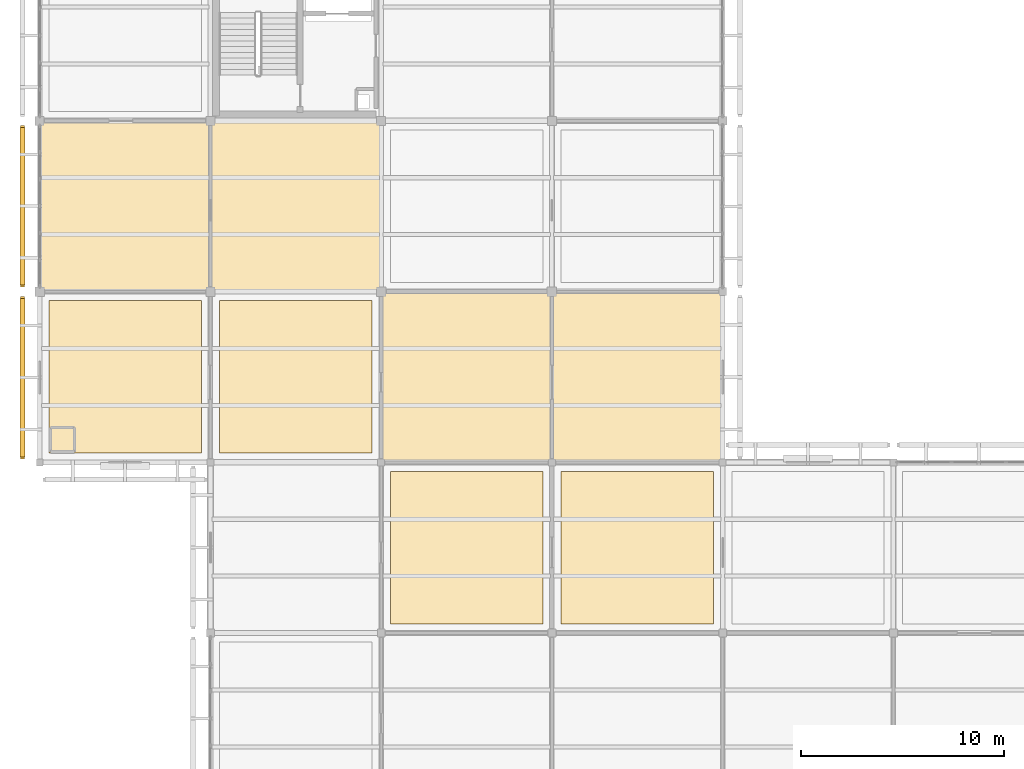
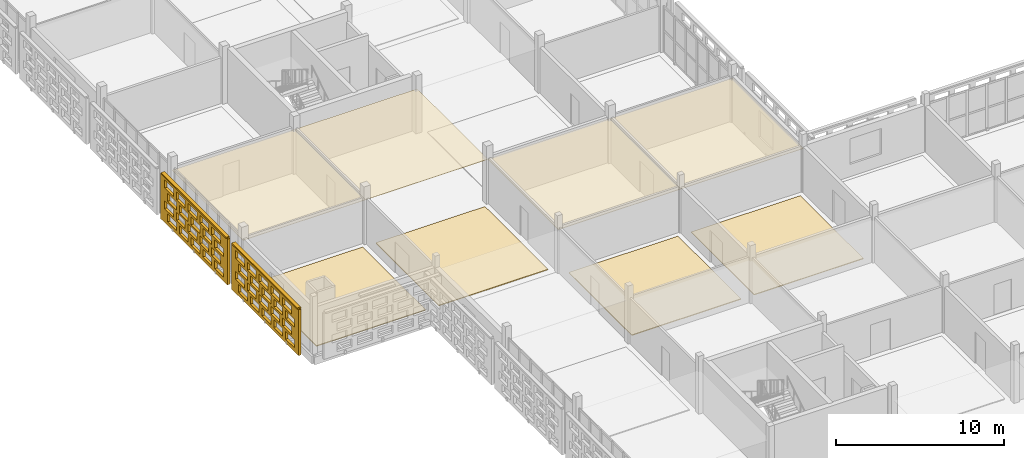
# One storey, part 102 of 140: 10 coverings, 2 shading devices, 40 openings.
"""IFC4 building model written with IfcOpenShell, lengths in metres."""

from ifc_helpers import new_model, si_unit, direction, frame, frame_2d, origin, origin_2d, place, context, subcontext, project, spatial, rectangle, extrude, material, layer, layer_set, type_object, element, save


model = new_model("IFC4")

# Units and contexts
model_context = context("Model", 3, precision=1e-05, world=origin(), true_north=direction((0.0, 1.0)))
body_context = subcontext(model_context, "Body", "Model", "MODEL_VIEW")
ifc_project = project(units=[si_unit("LENGTHUNIT", "METRE"), si_unit("AREAUNIT", "SQUARE_METRE"), si_unit("VOLUMEUNIT", "CUBIC_METRE"), si_unit("PLANEANGLEUNIT", "RADIAN"), si_unit("MASSUNIT", "GRAM", prefix="KILO")], contexts=[model_context])

# Site, building, storey
site_placement = place(None, origin())
site = spatial("IfcSite", under=ifc_project, at=site_placement, CompositionType="ELEMENT")
building_placement = place(site_placement, origin())
building = spatial("IfcBuilding", under=site, at=building_placement, Name="Varnapada Polytechnic", CompositionType="ELEMENT")
storey_placement = place(building_placement, frame((0.0, 0.0, 13.800048828125)))
storey = spatial("IfcBuildingStorey", under=building, at=storey_placement, Name="L03", CompositionType="ELEMENT", Elevation=13.800048828125)

# Coverings
ifc_material_1 = material(Name="Anti-Static Raised Laboratory Flooring")
ifc_layer_1 = layer(ifc_material_1, 0.06005859375)
ifc_layer_set_1 = layer_set([ifc_layer_1], Name="Anti-Static Raised Laboratory Flooring")
covering_type_1 = type_object("IfcCoveringType", Name="Floor Finish FLR-02", PredefinedType="FLOORING", material=ifc_layer_set_1)
for number, where, z_axis, x_axis, name in (
    (1, (4.199951171875, 46.199951171875, 0.0), (0.0, 0.0, 1.0), (1.0, 0.0, 0.0), "L03 floor finish panel (1,6)"),
    (2, (21.0, 37.800048828125, 0.0), (0.0, 0.0, 1.0), (1.0, 0.0, 0.0), "L03 floor finish panel (3,5)"),
):
    element("IfcCovering", number, at=place(storey_placement, frame(where, z_axis=z_axis, x_axis=x_axis)), inside=storey, type_object=covering_type_1, Name=name, PredefinedType="FLOORING", context=body_context, shape_type="SweptSolid", body=[
        extrude(rectangle(XDim=7.5, YDim=7.5, at=origin_2d()), origin(), (0.0, 0.0, 1.0), 0.06005859375),
    ])
ifc_material_2 = material(Name="End-Grain Timber Studio Block Flooring", Category="wood")
ifc_layer_2 = layer(ifc_material_2, 0.054931640625)
ifc_layer_set_2 = layer_set([ifc_layer_2], Name="End-Grain Timber Studio Block Flooring")
covering_type_2 = type_object("IfcCoveringType", Name="Floor Finish FLR-04", PredefinedType="FLOORING", material=ifc_layer_set_2)
for number, where, z_axis, x_axis, name in (
    (3, (12.60009765625, 46.199951171875, 0.0), (0.0, 0.0, 1.0), (1.0, 0.0, 0.0), "L03 floor finish panel (2,6)"),
    (4, (29.39990234375, 37.800048828125, 0.0), (0.0, 0.0, 1.0), (1.0, 0.0, 0.0), "L03 floor finish panel (4,5)"),
):
    element("IfcCovering", number, at=place(storey_placement, frame(where, z_axis=z_axis, x_axis=x_axis)), inside=storey, type_object=covering_type_2, Name=name, PredefinedType="FLOORING", context=body_context, shape_type="SweptSolid", body=[
        extrude(rectangle(XDim=7.5, YDim=7.5, at=origin_2d()), origin(), (0.0, 0.0, 1.0), 0.054931640625),
    ])
ifc_material_3 = material(Name="Moisture-Resistant Aluminum Baffle Ceiling", Category="aluminium")
ifc_layer_3 = layer(ifc_material_3, 0.030029296875)
ifc_layer_set_3 = layer_set([ifc_layer_3], Name="Moisture-Resistant Aluminum Baffle Ceiling")
covering_type_3 = type_object("IfcCoveringType", Name="Suspended Ceiling CLG-03", PredefinedType="CEILING", material=ifc_layer_set_3)
for number, where, z_axis, x_axis, name in (
    (5, (4.199951171875, 54.60009765625, 3.03515625), (0.0, 0.0, 1.0), (1.0, 0.0, 0.0), "L03 suspended acoustic ceiling (1,7)"),
    (6, (12.60009765625, 54.60009765625, 3.03515625), (0.0, 0.0, 1.0), (1.0, 0.0, 0.0), "L03 suspended acoustic ceiling (2,7)"),
):
    element("IfcCovering", number, at=place(storey_placement, frame(where, z_axis=z_axis, x_axis=x_axis)), inside=storey, type_object=covering_type_3, Name=name, PredefinedType="CEILING", context=body_context, shape_type="SweptSolid", body=[
        extrude(rectangle(XDim=8.419921875, YDim=8.419921875, at=origin_2d()), origin(), (0.0, 0.0, 1.0), 0.030029296875),
    ])
ifc_material_4 = material(Name="Cleanroom Laboratory Metal Pan Ceiling")
ifc_layer_4 = layer(ifc_material_4, 0.034912109375)
ifc_layer_set_4 = layer_set([ifc_layer_4], Name="Cleanroom Laboratory Metal Pan Ceiling")
covering_type_4 = type_object("IfcCoveringType", Name="Suspended Ceiling CLG-06", PredefinedType="CEILING", material=ifc_layer_set_4)
for number, where, z_axis, x_axis, name in (
    (7, (21.0, 46.199951171875, 3.03271484375), (0.0, 0.0, 1.0), (1.0, 0.0, 0.0), "L03 suspended acoustic ceiling (3,6)"),
    (8, (29.39990234375, 46.199951171875, 3.03271484375), (0.0, 0.0, 1.0), (1.0, 0.0, 0.0), "L03 suspended acoustic ceiling (4,6)"),
):
    element("IfcCovering", number, at=place(storey_placement, frame(where, z_axis=z_axis, x_axis=x_axis)), inside=storey, type_object=covering_type_4, Name=name, PredefinedType="CEILING", context=body_context, shape_type="SweptSolid", body=[
        extrude(rectangle(XDim=8.419921875, YDim=8.419921875, at=origin_2d()), origin(), (0.0, 0.0, 1.0), 0.034912109375),
    ])

# Covering, openings
ifc_material_5 = material(Name="Earth-toned architectural terracotta screen block", Category="masonry")
ifc_layer_5 = layer(ifc_material_5, 0.1201171875)
ifc_layer_set_5 = layer_set([ifc_layer_5], Name="Earth-toned architectural terracotta screen block")
covering_type_5 = type_object("IfcCoveringType", Name="Terracotta Screen Cladding CLD-01", PredefinedType="CLADDING", material=ifc_layer_set_5)
covering_1_placement = place(storey_placement, frame((-0.85009765625, 42.169921875, 0.0), z_axis=(0.0, 0.0, 1.0), x_axis=(0.0, 1.0, 0.0)))
covering_1 = element("IfcCovering", 9, at=covering_1_placement, inside=storey, type_object=covering_type_5, Name="L03 perforated terracotta block screen (2)", PredefinedType="CLADDING", context=body_context, shape_type="SweptSolid", body=[
    extrude(rectangle(XDim=8.0, YDim=0.179931640625, at=frame_2d((4.0, 0.0))), origin(), (0.0, 0.0, 1.0), 3.320068359375),
])
opening_1_placement = place(covering_1_placement, frame((0.5, 0.0, 0.265625)))
element("IfcOpeningElement", 10, at=opening_1_placement, cuts=covering_1, Name="Screen perforation TBS-L03-001.1", PredefinedType="OPENING", context=body_context, shape_type="SweptSolid", body=[
    extrude(rectangle(XDim=1.0400390625, YDim=0.5810546875, at=frame_2d((0.52001953125, 0.29052734375))), frame((0.0, 0.099853515625, 0.0), z_axis=(0.0, -1.0, 0.0), x_axis=(1.0, 0.0, 0.0)), (0.0, 0.0, 1.0), 0.199951171875),
])
opening_2_placement = place(covering_1_placement, frame((1.89990234375, 0.0, 0.265625)))
element("IfcOpeningElement", 11, at=opening_2_placement, cuts=covering_1, Name="Screen perforation TBS-L03-001.2", PredefinedType="OPENING", context=body_context, shape_type="SweptSolid", body=[
    extrude(rectangle(XDim=1.0400390625, YDim=0.5810546875, at=frame_2d((0.52001953125, 0.29052734375))), frame((0.0, 0.099853515625, 0.0), z_axis=(0.0, -1.0, 0.0), x_axis=(1.0, 0.0, 0.0)), (0.0, 0.0, 1.0), 0.199951171875),
])
opening_3_placement = place(covering_1_placement, frame((3.300048828125, 0.0, 0.265625)))
element("IfcOpeningElement", 12, at=opening_3_placement, cuts=covering_1, Name="Screen perforation TBS-L03-001.3", PredefinedType="OPENING", context=body_context, shape_type="SweptSolid", body=[
    extrude(rectangle(XDim=1.0400390625, YDim=0.5810546875, at=frame_2d((0.52001953125, 0.29052734375))), frame((0.0, 0.099853515625, 0.0), z_axis=(0.0, -1.0, 0.0), x_axis=(1.0, 0.0, 0.0)), (0.0, 0.0, 1.0), 0.199951171875),
])
opening_4_placement = place(covering_1_placement, frame((4.699951171875, 0.0, 0.265625)))
element("IfcOpeningElement", 13, at=opening_4_placement, cuts=covering_1, Name="Screen perforation TBS-L03-001.4", PredefinedType="OPENING", context=body_context, shape_type="SweptSolid", body=[
    extrude(rectangle(XDim=1.0400390625, YDim=0.5810546875, at=frame_2d((0.52001953125, 0.29052734375))), frame((0.0, 0.099853515625, 0.0), z_axis=(0.0, -1.0, 0.0), x_axis=(1.0, 0.0, 0.0)), (0.0, 0.0, 1.0), 0.199951171875),
])
opening_5_placement = place(covering_1_placement, frame((6.10009765625, 0.0, 0.265625)))
element("IfcOpeningElement", 14, at=opening_5_placement, cuts=covering_1, Name="Screen perforation TBS-L03-001.5", PredefinedType="OPENING", context=body_context, shape_type="SweptSolid", body=[
    extrude(rectangle(XDim=1.0400390625, YDim=0.5810546875, at=frame_2d((0.52001953125, 0.29052734375))), frame((0.0, 0.099853515625, 0.0), z_axis=(0.0, -1.0, 0.0), x_axis=(1.0, 0.0, 0.0)), (0.0, 0.0, 1.0), 0.199951171875),
])
opening_6_placement = place(covering_1_placement, frame((0.860107421875, 0.0, 1.0126953125)))
element("IfcOpeningElement", 15, at=opening_6_placement, cuts=covering_1, Name="Screen perforation TBS-L03-001.6", PredefinedType="OPENING", context=body_context, shape_type="SweptSolid", body=[
    extrude(rectangle(XDim=1.0400390625, YDim=0.5810546875, at=frame_2d((0.52001953125, 0.29052734375))), frame((0.0, 0.099853515625, 0.0), z_axis=(0.0, -1.0, 0.0), x_axis=(1.0, 0.0, 0.0)), (0.0, 0.0, 1.0), 0.199951171875),
])
opening_7_placement = place(covering_1_placement, frame((2.260009765625, 0.0, 1.0126953125)))
element("IfcOpeningElement", 16, at=opening_7_placement, cuts=covering_1, Name="Screen perforation TBS-L03-001.7", PredefinedType="OPENING", context=body_context, shape_type="SweptSolid", body=[
    extrude(rectangle(XDim=1.0400390625, YDim=0.5810546875, at=frame_2d((0.52001953125, 0.29052734375))), frame((0.0, 0.099853515625, 0.0), z_axis=(0.0, -1.0, 0.0), x_axis=(1.0, 0.0, 0.0)), (0.0, 0.0, 1.0), 0.199951171875),
])
opening_8_placement = place(covering_1_placement, frame((3.659912109375, 0.0, 1.0126953125)))
element("IfcOpeningElement", 17, at=opening_8_placement, cuts=covering_1, Name="Screen perforation TBS-L03-001.8", PredefinedType="OPENING", context=body_context, shape_type="SweptSolid", body=[
    extrude(rectangle(XDim=1.0400390625, YDim=0.5810546875, at=frame_2d((0.52001953125, 0.29052734375))), frame((0.0, 0.099853515625, 0.0), z_axis=(0.0, -1.0, 0.0), x_axis=(1.0, 0.0, 0.0)), (0.0, 0.0, 1.0), 0.199951171875),
])
opening_9_placement = place(covering_1_placement, frame((5.06005859375, 0.0, 1.0126953125)))
element("IfcOpeningElement", 18, at=opening_9_placement, cuts=covering_1, Name="Screen perforation TBS-L03-001.9", PredefinedType="OPENING", context=body_context, shape_type="SweptSolid", body=[
    extrude(rectangle(XDim=1.0400390625, YDim=0.5810546875, at=frame_2d((0.52001953125, 0.29052734375))), frame((0.0, 0.099853515625, 0.0), z_axis=(0.0, -1.0, 0.0), x_axis=(1.0, 0.0, 0.0)), (0.0, 0.0, 1.0), 0.199951171875),
])
opening_10_placement = place(covering_1_placement, frame((6.4599609375, 0.0, 1.0126953125)))
element("IfcOpeningElement", 19, at=opening_10_placement, cuts=covering_1, Name="Screen perforation TBS-L03-001.10", PredefinedType="OPENING", context=body_context, shape_type="SweptSolid", body=[
    extrude(rectangle(XDim=1.0400390625, YDim=0.5810546875, at=frame_2d((0.52001953125, 0.29052734375))), frame((0.0, 0.099853515625, 0.0), z_axis=(0.0, -1.0, 0.0), x_axis=(1.0, 0.0, 0.0)), (0.0, 0.0, 1.0), 0.199951171875),
])
opening_11_placement = place(covering_1_placement, frame((0.5, 0.0, 1.759521484375)))
element("IfcOpeningElement", 20, at=opening_11_placement, cuts=covering_1, Name="Screen perforation TBS-L03-001.11", PredefinedType="OPENING", context=body_context, shape_type="SweptSolid", body=[
    extrude(rectangle(XDim=1.0400390625, YDim=0.5810546875, at=frame_2d((0.52001953125, 0.29052734375))), frame((0.0, 0.099853515625, 0.0), z_axis=(0.0, -1.0, 0.0), x_axis=(1.0, 0.0, 0.0)), (0.0, 0.0, 1.0), 0.199951171875),
])
opening_12_placement = place(covering_1_placement, frame((1.89990234375, 0.0, 1.759521484375)))
element("IfcOpeningElement", 21, at=opening_12_placement, cuts=covering_1, Name="Screen perforation TBS-L03-001.12", PredefinedType="OPENING", context=body_context, shape_type="SweptSolid", body=[
    extrude(rectangle(XDim=1.0400390625, YDim=0.5810546875, at=frame_2d((0.52001953125, 0.29052734375))), frame((0.0, 0.099853515625, 0.0), z_axis=(0.0, -1.0, 0.0), x_axis=(1.0, 0.0, 0.0)), (0.0, 0.0, 1.0), 0.199951171875),
])
opening_13_placement = place(covering_1_placement, frame((3.300048828125, 0.0, 1.759521484375)))
element("IfcOpeningElement", 22, at=opening_13_placement, cuts=covering_1, Name="Screen perforation TBS-L03-001.13", PredefinedType="OPENING", context=body_context, shape_type="SweptSolid", body=[
    extrude(rectangle(XDim=1.0400390625, YDim=0.5810546875, at=frame_2d((0.52001953125, 0.29052734375))), frame((0.0, 0.099853515625, 0.0), z_axis=(0.0, -1.0, 0.0), x_axis=(1.0, 0.0, 0.0)), (0.0, 0.0, 1.0), 0.199951171875),
])
opening_14_placement = place(covering_1_placement, frame((4.699951171875, 0.0, 1.759521484375)))
element("IfcOpeningElement", 23, at=opening_14_placement, cuts=covering_1, Name="Screen perforation TBS-L03-001.14", PredefinedType="OPENING", context=body_context, shape_type="SweptSolid", body=[
    extrude(rectangle(XDim=1.0400390625, YDim=0.5810546875, at=frame_2d((0.52001953125, 0.29052734375))), frame((0.0, 0.099853515625, 0.0), z_axis=(0.0, -1.0, 0.0), x_axis=(1.0, 0.0, 0.0)), (0.0, 0.0, 1.0), 0.199951171875),
])
opening_15_placement = place(covering_1_placement, frame((6.10009765625, 0.0, 1.759521484375)))
element("IfcOpeningElement", 24, at=opening_15_placement, cuts=covering_1, Name="Screen perforation TBS-L03-001.15", PredefinedType="OPENING", context=body_context, shape_type="SweptSolid", body=[
    extrude(rectangle(XDim=1.0400390625, YDim=0.5810546875, at=frame_2d((0.52001953125, 0.29052734375))), frame((0.0, 0.099853515625, 0.0), z_axis=(0.0, -1.0, 0.0), x_axis=(1.0, 0.0, 0.0)), (0.0, 0.0, 1.0), 0.199951171875),
])
opening_16_placement = place(covering_1_placement, frame((0.860107421875, 0.0, 2.506591796875)))
element("IfcOpeningElement", 25, at=opening_16_placement, cuts=covering_1, Name="Screen perforation TBS-L03-001.16", PredefinedType="OPENING", context=body_context, shape_type="SweptSolid", body=[
    extrude(rectangle(XDim=1.0400390625, YDim=0.5810546875, at=frame_2d((0.52001953125, 0.29052734375))), frame((0.0, 0.099853515625, 0.0), z_axis=(0.0, -1.0, 0.0), x_axis=(1.0, 0.0, 0.0)), (0.0, 0.0, 1.0), 0.199951171875),
])
opening_17_placement = place(covering_1_placement, frame((2.260009765625, 0.0, 2.506591796875)))
element("IfcOpeningElement", 26, at=opening_17_placement, cuts=covering_1, Name="Screen perforation TBS-L03-001.17", PredefinedType="OPENING", context=body_context, shape_type="SweptSolid", body=[
    extrude(rectangle(XDim=1.0400390625, YDim=0.5810546875, at=frame_2d((0.52001953125, 0.29052734375))), frame((0.0, 0.099853515625, 0.0), z_axis=(0.0, -1.0, 0.0), x_axis=(1.0, 0.0, 0.0)), (0.0, 0.0, 1.0), 0.199951171875),
])
opening_18_placement = place(covering_1_placement, frame((3.659912109375, 0.0, 2.506591796875)))
element("IfcOpeningElement", 27, at=opening_18_placement, cuts=covering_1, Name="Screen perforation TBS-L03-001.18", PredefinedType="OPENING", context=body_context, shape_type="SweptSolid", body=[
    extrude(rectangle(XDim=1.0400390625, YDim=0.5810546875, at=frame_2d((0.52001953125, 0.29052734375))), frame((0.0, 0.099853515625, 0.0), z_axis=(0.0, -1.0, 0.0), x_axis=(1.0, 0.0, 0.0)), (0.0, 0.0, 1.0), 0.199951171875),
])
opening_19_placement = place(covering_1_placement, frame((5.06005859375, 0.0, 2.506591796875)))
element("IfcOpeningElement", 28, at=opening_19_placement, cuts=covering_1, Name="Screen perforation TBS-L03-001.19", PredefinedType="OPENING", context=body_context, shape_type="SweptSolid", body=[
    extrude(rectangle(XDim=1.0400390625, YDim=0.5810546875, at=frame_2d((0.52001953125, 0.29052734375))), frame((0.0, 0.099853515625, 0.0), z_axis=(0.0, -1.0, 0.0), x_axis=(1.0, 0.0, 0.0)), (0.0, 0.0, 1.0), 0.199951171875),
])
opening_20_placement = place(covering_1_placement, frame((6.4599609375, 0.0, 2.506591796875)))
element("IfcOpeningElement", 29, at=opening_20_placement, cuts=covering_1, Name="Screen perforation TBS-L03-001.20", PredefinedType="OPENING", context=body_context, shape_type="SweptSolid", body=[
    extrude(rectangle(XDim=1.0400390625, YDim=0.5810546875, at=frame_2d((0.52001953125, 0.29052734375))), frame((0.0, 0.099853515625, 0.0), z_axis=(0.0, -1.0, 0.0), x_axis=(1.0, 0.0, 0.0)), (0.0, 0.0, 1.0), 0.199951171875),
])

covering_2_placement = place(storey_placement, frame((-0.85009765625, 50.6298828125, 0.0), z_axis=(0.0, 0.0, 1.0), x_axis=(0.0, 1.0, 0.0)))
covering_2 = element("IfcCovering", 30, at=covering_2_placement, inside=storey, type_object=covering_type_5, Name="L03 perforated terracotta block screen (3)", PredefinedType="CLADDING", context=body_context, shape_type="SweptSolid", body=[
    extrude(rectangle(XDim=7.9501953125, YDim=0.179931640625, at=frame_2d((3.97509765625, 0.0))), origin(), (0.0, 0.0, 1.0), 3.320068359375),
])
opening_21_placement = place(covering_2_placement, frame((0.47509765625, 0.0, 0.265625)))
element("IfcOpeningElement", 31, at=opening_21_placement, cuts=covering_2, Name="Screen perforation TBS-L03-002.1", PredefinedType="OPENING", context=body_context, shape_type="SweptSolid", body=[
    extrude(rectangle(XDim=1.0400390625, YDim=0.5810546875, at=frame_2d((0.52001953125, 0.29052734375))), frame((0.0, 0.099853515625, 0.0), z_axis=(0.0, -1.0, 0.0), x_axis=(1.0, 0.0, 0.0)), (0.0, 0.0, 1.0), 0.199951171875),
])
opening_22_placement = place(covering_2_placement, frame((1.875, 0.0, 0.265625)))
element("IfcOpeningElement", 32, at=opening_22_placement, cuts=covering_2, Name="Screen perforation TBS-L03-002.2", PredefinedType="OPENING", context=body_context, shape_type="SweptSolid", body=[
    extrude(rectangle(XDim=1.0400390625, YDim=0.5810546875, at=frame_2d((0.52001953125, 0.29052734375))), frame((0.0, 0.099853515625, 0.0), z_axis=(0.0, -1.0, 0.0), x_axis=(1.0, 0.0, 0.0)), (0.0, 0.0, 1.0), 0.199951171875),
])
opening_23_placement = place(covering_2_placement, frame((3.27490234375, 0.0, 0.265625)))
element("IfcOpeningElement", 33, at=opening_23_placement, cuts=covering_2, Name="Screen perforation TBS-L03-002.3", PredefinedType="OPENING", context=body_context, shape_type="SweptSolid", body=[
    extrude(rectangle(XDim=1.0400390625, YDim=0.5810546875, at=frame_2d((0.52001953125, 0.29052734375))), frame((0.0, 0.099853515625, 0.0), z_axis=(0.0, -1.0, 0.0), x_axis=(1.0, 0.0, 0.0)), (0.0, 0.0, 1.0), 0.199951171875),
])
opening_24_placement = place(covering_2_placement, frame((4.675048828125, 0.0, 0.265625)))
element("IfcOpeningElement", 34, at=opening_24_placement, cuts=covering_2, Name="Screen perforation TBS-L03-002.4", PredefinedType="OPENING", context=body_context, shape_type="SweptSolid", body=[
    extrude(rectangle(XDim=1.0400390625, YDim=0.5810546875, at=frame_2d((0.52001953125, 0.29052734375))), frame((0.0, 0.099853515625, 0.0), z_axis=(0.0, -1.0, 0.0), x_axis=(1.0, 0.0, 0.0)), (0.0, 0.0, 1.0), 0.199951171875),
])
opening_25_placement = place(covering_2_placement, frame((6.074951171875, 0.0, 0.265625)))
element("IfcOpeningElement", 35, at=opening_25_placement, cuts=covering_2, Name="Screen perforation TBS-L03-002.5", PredefinedType="OPENING", context=body_context, shape_type="SweptSolid", body=[
    extrude(rectangle(XDim=1.0400390625, YDim=0.5810546875, at=frame_2d((0.52001953125, 0.29052734375))), frame((0.0, 0.099853515625, 0.0), z_axis=(0.0, -1.0, 0.0), x_axis=(1.0, 0.0, 0.0)), (0.0, 0.0, 1.0), 0.199951171875),
])
opening_26_placement = place(covering_2_placement, frame((0.8349609375, 0.0, 1.0126953125)))
element("IfcOpeningElement", 36, at=opening_26_placement, cuts=covering_2, Name="Screen perforation TBS-L03-002.6", PredefinedType="OPENING", context=body_context, shape_type="SweptSolid", body=[
    extrude(rectangle(XDim=1.0400390625, YDim=0.5810546875, at=frame_2d((0.52001953125, 0.29052734375))), frame((0.0, 0.099853515625, 0.0), z_axis=(0.0, -1.0, 0.0), x_axis=(1.0, 0.0, 0.0)), (0.0, 0.0, 1.0), 0.199951171875),
])
opening_27_placement = place(covering_2_placement, frame((2.235107421875, 0.0, 1.0126953125)))
element("IfcOpeningElement", 37, at=opening_27_placement, cuts=covering_2, Name="Screen perforation TBS-L03-002.7", PredefinedType="OPENING", context=body_context, shape_type="SweptSolid", body=[
    extrude(rectangle(XDim=1.0400390625, YDim=0.5810546875, at=frame_2d((0.52001953125, 0.29052734375))), frame((0.0, 0.099853515625, 0.0), z_axis=(0.0, -1.0, 0.0), x_axis=(1.0, 0.0, 0.0)), (0.0, 0.0, 1.0), 0.199951171875),
])
opening_28_placement = place(covering_2_placement, frame((3.635009765625, 0.0, 1.0126953125)))
element("IfcOpeningElement", 38, at=opening_28_placement, cuts=covering_2, Name="Screen perforation TBS-L03-002.8", PredefinedType="OPENING", context=body_context, shape_type="SweptSolid", body=[
    extrude(rectangle(XDim=1.0400390625, YDim=0.5810546875, at=frame_2d((0.52001953125, 0.29052734375))), frame((0.0, 0.099853515625, 0.0), z_axis=(0.0, -1.0, 0.0), x_axis=(1.0, 0.0, 0.0)), (0.0, 0.0, 1.0), 0.199951171875),
])
opening_29_placement = place(covering_2_placement, frame((5.034912109375, 0.0, 1.0126953125)))
element("IfcOpeningElement", 39, at=opening_29_placement, cuts=covering_2, Name="Screen perforation TBS-L03-002.9", PredefinedType="OPENING", context=body_context, shape_type="SweptSolid", body=[
    extrude(rectangle(XDim=1.0400390625, YDim=0.5810546875, at=frame_2d((0.52001953125, 0.29052734375))), frame((0.0, 0.099853515625, 0.0), z_axis=(0.0, -1.0, 0.0), x_axis=(1.0, 0.0, 0.0)), (0.0, 0.0, 1.0), 0.199951171875),
])
opening_30_placement = place(covering_2_placement, frame((6.43505859375, 0.0, 1.0126953125)))
element("IfcOpeningElement", 40, at=opening_30_placement, cuts=covering_2, Name="Screen perforation TBS-L03-002.10", PredefinedType="OPENING", context=body_context, shape_type="SweptSolid", body=[
    extrude(rectangle(XDim=1.0400390625, YDim=0.5810546875, at=frame_2d((0.52001953125, 0.29052734375))), frame((0.0, 0.099853515625, 0.0), z_axis=(0.0, -1.0, 0.0), x_axis=(1.0, 0.0, 0.0)), (0.0, 0.0, 1.0), 0.199951171875),
])
opening_31_placement = place(covering_2_placement, frame((0.47509765625, 0.0, 1.759521484375)))
element("IfcOpeningElement", 41, at=opening_31_placement, cuts=covering_2, Name="Screen perforation TBS-L03-002.11", PredefinedType="OPENING", context=body_context, shape_type="SweptSolid", body=[
    extrude(rectangle(XDim=1.0400390625, YDim=0.5810546875, at=frame_2d((0.52001953125, 0.29052734375))), frame((0.0, 0.099853515625, 0.0), z_axis=(0.0, -1.0, 0.0), x_axis=(1.0, 0.0, 0.0)), (0.0, 0.0, 1.0), 0.199951171875),
])
opening_32_placement = place(covering_2_placement, frame((1.875, 0.0, 1.759521484375)))
element("IfcOpeningElement", 42, at=opening_32_placement, cuts=covering_2, Name="Screen perforation TBS-L03-002.12", PredefinedType="OPENING", context=body_context, shape_type="SweptSolid", body=[
    extrude(rectangle(XDim=1.0400390625, YDim=0.5810546875, at=frame_2d((0.52001953125, 0.29052734375))), frame((0.0, 0.099853515625, 0.0), z_axis=(0.0, -1.0, 0.0), x_axis=(1.0, 0.0, 0.0)), (0.0, 0.0, 1.0), 0.199951171875),
])
opening_33_placement = place(covering_2_placement, frame((3.27490234375, 0.0, 1.759521484375)))
element("IfcOpeningElement", 43, at=opening_33_placement, cuts=covering_2, Name="Screen perforation TBS-L03-002.13", PredefinedType="OPENING", context=body_context, shape_type="SweptSolid", body=[
    extrude(rectangle(XDim=1.0400390625, YDim=0.5810546875, at=frame_2d((0.52001953125, 0.29052734375))), frame((0.0, 0.099853515625, 0.0), z_axis=(0.0, -1.0, 0.0), x_axis=(1.0, 0.0, 0.0)), (0.0, 0.0, 1.0), 0.199951171875),
])
opening_34_placement = place(covering_2_placement, frame((4.675048828125, 0.0, 1.759521484375)))
element("IfcOpeningElement", 44, at=opening_34_placement, cuts=covering_2, Name="Screen perforation TBS-L03-002.14", PredefinedType="OPENING", context=body_context, shape_type="SweptSolid", body=[
    extrude(rectangle(XDim=1.0400390625, YDim=0.5810546875, at=frame_2d((0.52001953125, 0.29052734375))), frame((0.0, 0.099853515625, 0.0), z_axis=(0.0, -1.0, 0.0), x_axis=(1.0, 0.0, 0.0)), (0.0, 0.0, 1.0), 0.199951171875),
])
opening_35_placement = place(covering_2_placement, frame((6.074951171875, 0.0, 1.759521484375)))
element("IfcOpeningElement", 45, at=opening_35_placement, cuts=covering_2, Name="Screen perforation TBS-L03-002.15", PredefinedType="OPENING", context=body_context, shape_type="SweptSolid", body=[
    extrude(rectangle(XDim=1.0400390625, YDim=0.5810546875, at=frame_2d((0.52001953125, 0.29052734375))), frame((0.0, 0.099853515625, 0.0), z_axis=(0.0, -1.0, 0.0), x_axis=(1.0, 0.0, 0.0)), (0.0, 0.0, 1.0), 0.199951171875),
])
opening_36_placement = place(covering_2_placement, frame((0.8349609375, 0.0, 2.506591796875)))
element("IfcOpeningElement", 46, at=opening_36_placement, cuts=covering_2, Name="Screen perforation TBS-L03-002.16", PredefinedType="OPENING", context=body_context, shape_type="SweptSolid", body=[
    extrude(rectangle(XDim=1.0400390625, YDim=0.5810546875, at=frame_2d((0.52001953125, 0.29052734375))), frame((0.0, 0.099853515625, 0.0), z_axis=(0.0, -1.0, 0.0), x_axis=(1.0, 0.0, 0.0)), (0.0, 0.0, 1.0), 0.199951171875),
])
opening_37_placement = place(covering_2_placement, frame((2.235107421875, 0.0, 2.506591796875)))
element("IfcOpeningElement", 47, at=opening_37_placement, cuts=covering_2, Name="Screen perforation TBS-L03-002.17", PredefinedType="OPENING", context=body_context, shape_type="SweptSolid", body=[
    extrude(rectangle(XDim=1.0400390625, YDim=0.5810546875, at=frame_2d((0.52001953125, 0.29052734375))), frame((0.0, 0.099853515625, 0.0), z_axis=(0.0, -1.0, 0.0), x_axis=(1.0, 0.0, 0.0)), (0.0, 0.0, 1.0), 0.199951171875),
])
opening_38_placement = place(covering_2_placement, frame((3.635009765625, 0.0, 2.506591796875)))
element("IfcOpeningElement", 48, at=opening_38_placement, cuts=covering_2, Name="Screen perforation TBS-L03-002.18", PredefinedType="OPENING", context=body_context, shape_type="SweptSolid", body=[
    extrude(rectangle(XDim=1.0400390625, YDim=0.5810546875, at=frame_2d((0.52001953125, 0.29052734375))), frame((0.0, 0.099853515625, 0.0), z_axis=(0.0, -1.0, 0.0), x_axis=(1.0, 0.0, 0.0)), (0.0, 0.0, 1.0), 0.199951171875),
])
opening_39_placement = place(covering_2_placement, frame((5.034912109375, 0.0, 2.506591796875)))
element("IfcOpeningElement", 49, at=opening_39_placement, cuts=covering_2, Name="Screen perforation TBS-L03-002.19", PredefinedType="OPENING", context=body_context, shape_type="SweptSolid", body=[
    extrude(rectangle(XDim=1.0400390625, YDim=0.5810546875, at=frame_2d((0.52001953125, 0.29052734375))), frame((0.0, 0.099853515625, 0.0), z_axis=(0.0, -1.0, 0.0), x_axis=(1.0, 0.0, 0.0)), (0.0, 0.0, 1.0), 0.199951171875),
])
opening_40_placement = place(covering_2_placement, frame((6.43505859375, 0.0, 2.506591796875)))
element("IfcOpeningElement", 50, at=opening_40_placement, cuts=covering_2, Name="Screen perforation TBS-L03-002.20", PredefinedType="OPENING", context=body_context, shape_type="SweptSolid", body=[
    extrude(rectangle(XDim=1.0400390625, YDim=0.5810546875, at=frame_2d((0.52001953125, 0.29052734375))), frame((0.0, 0.099853515625, 0.0), z_axis=(0.0, -1.0, 0.0), x_axis=(1.0, 0.0, 0.0)), (0.0, 0.0, 1.0), 0.199951171875),
])

# Shading devices
ifc_layer_6 = layer(ifc_material_5, 0.179931640625)
ifc_layer_set_6 = layer_set([ifc_layer_6], Name="Earth-toned architectural terracotta screen block")
shading_device_type = type_object("IfcShadingDeviceType", Name="Terracotta Screen SCR-01", PredefinedType="USERDEFINED", material=ifc_layer_set_6)
shading_device_1_placement = place(storey_placement, frame((-0.85009765625, 46.169921875, 3.309814453125), z_axis=(0.0, 0.0, 1.0), x_axis=(0.0, 1.0, 0.0)))
element("IfcShadingDevice", 51, at=shading_device_1_placement, inside=storey, type_object=shading_device_type, Name="L03 perforated terracotta screen hood 337", ObjectType="SCREEN", PredefinedType="USERDEFINED", context=body_context, shape_type="SweptSolid", body=[
    extrude(rectangle(XDim=7.800048828125, YDim=0.239990234375, at=origin_2d()), origin(), (0.0, 0.0, 1.0), 0.10009765625),
])
shading_device_2_placement = place(storey_placement, frame((-0.85009765625, 54.60498046875, 3.309814453125), z_axis=(0.0, 0.0, 1.0), x_axis=(0.0, 1.0, 0.0)))
element("IfcShadingDevice", 52, at=shading_device_2_placement, inside=storey, type_object=shading_device_type, Name="L03 perforated terracotta screen hood 338", ObjectType="SCREEN", PredefinedType="USERDEFINED", context=body_context, shape_type="SweptSolid", body=[
    extrude(rectangle(XDim=7.75, YDim=0.239990234375, at=origin_2d()), origin(), (0.0, 0.0, 1.0), 0.10009765625),
])

save(model, "model.ifc")
